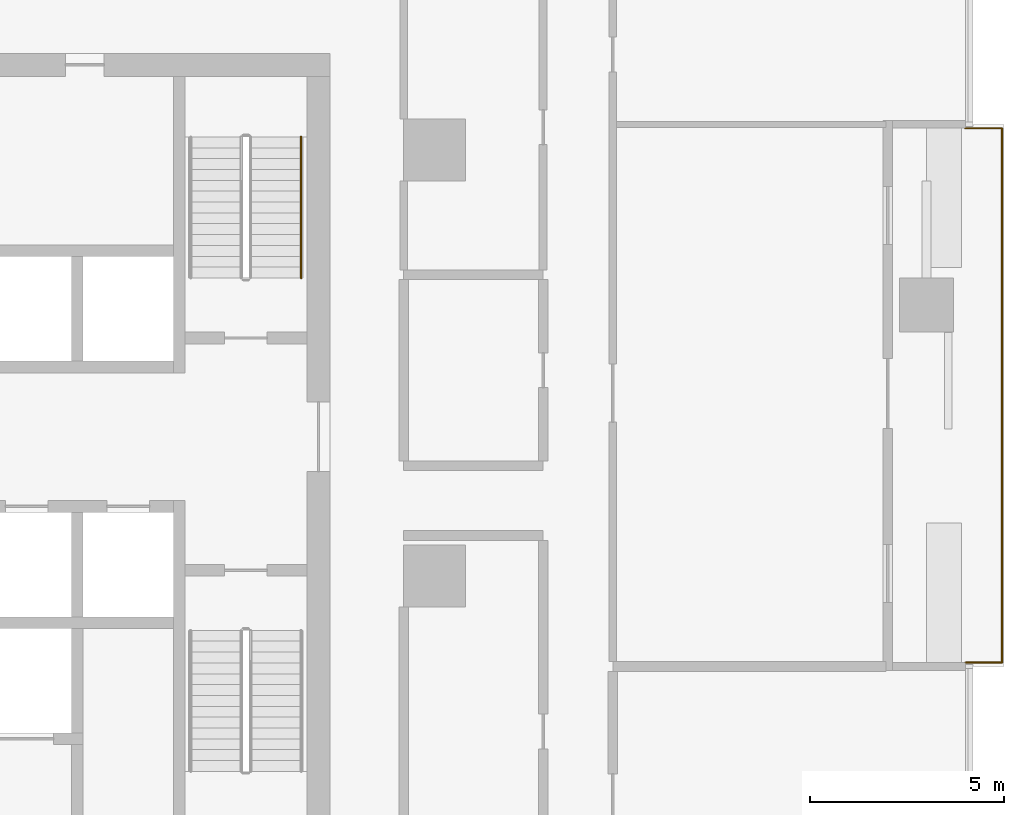
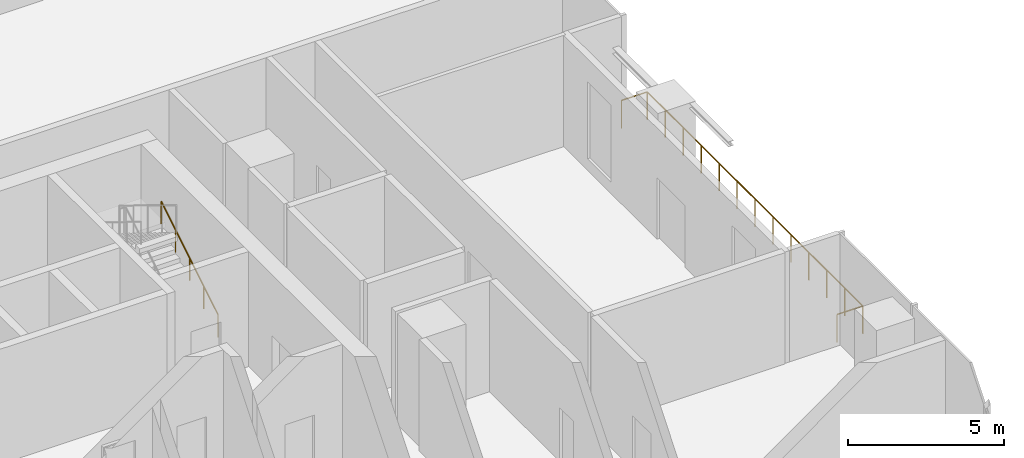
# One storey, part 15 of 15: 2 railings.
"""IFC4 building model written with IfcOpenShell, lengths in metres."""

from ifc_helpers import new_model, si_unit, direction, frame, origin, origin_2d, place, context, subcontext, project, spatial, circle, extrude, material, type_object, element, save


model = new_model("IFC4")

# Units and contexts
model_context = context("Model", 3, precision=1e-05, world=origin(), true_north=direction((0.0, 1.0)))
body_context = subcontext(model_context, "Body", "Model", "MODEL_VIEW")
ifc_project = project(units=[si_unit("LENGTHUNIT", "METRE"), si_unit("AREAUNIT", "SQUARE_METRE"), si_unit("VOLUMEUNIT", "CUBIC_METRE"), si_unit("PLANEANGLEUNIT", "RADIAN"), si_unit("MASSUNIT", "GRAM", prefix="KILO")], contexts=[model_context])

# Site, building, storey
site_placement = place(None, origin())
site = spatial("IfcSite", under=ifc_project, at=site_placement, CompositionType="ELEMENT")
building_placement = place(site_placement, origin())
building = spatial("IfcBuilding", under=site, at=building_placement, Name="Mopane Tessera Tower", CompositionType="ELEMENT")
storey_placement = place(building_placement, frame((0.0, 0.0, 79.0)))
storey = spatial("IfcBuildingStorey", under=building, at=storey_placement, Name="L15", CompositionType="ELEMENT", Elevation=79.0)

# Railings
ifc_material_1 = material(Name="Powder-coated steel balustrade", Category="steel")
railing_type_1 = type_object("IfcRailingType", Name="Escape stair handrail 900 mm", PredefinedType="HANDRAIL", material=ifc_material_1)
railing_1_placement = place(storey_placement, frame((13.64990234375, 7.699951171875, 0.17138671875)))
element("IfcRailing", 1, at=railing_1_placement, inside=storey, type_object=railing_type_1, Name="L15 ST4 stair handrail 1", PredefinedType="HANDRAIL", context=body_context, shape_type="SweptSolid", body=[
    extrude(circle(Radius=0.02392578125, at=origin_2d()), frame((0.0, 0.0, 0.8759765625), z_axis=(0.0, 0.852865859571, 0.52213008492), x_axis=(-1.0, 0.0, 0.0)), (0.0, 0.0, 1.0), 4.26806640625),
    extrude(circle(Radius=0.02099609375, at=origin_2d()), origin(), (0.0, 0.0, 1.0), 0.851806640625),
    extrude(circle(Radius=0.02099609375, at=origin_2d()), frame((0.0, 0.91015625, 0.55712890625)), (0.0, 0.0, 1.0), 0.851806640625),
    extrude(circle(Radius=0.02099609375, at=origin_2d()), frame((0.0, 1.820068359375, 1.1142578125)), (0.0, 0.0, 1.0), 0.851806640625),
    extrude(circle(Radius=0.02099609375, at=origin_2d()), frame((0.0, 2.72998046875, 1.67138671875)), (0.0, 0.0, 1.0), 0.851806640625),
    extrude(circle(Radius=0.02099609375, at=origin_2d()), frame((0.0, 3.64013671875, 2.228515625)), (0.0, 0.0, 1.0), 0.851806640625),
])
ifc_material_2 = material(Name="Stainless steel S316", Category="steel")
railing_type_2 = type_object("IfcRailingType", Name="Terrace guard 1100", PredefinedType="GUARDRAIL", material=ifc_material_2)
railing_2_placement = place(storey_placement, frame((30.800048828125, -2.2333984375, 0.0)))
element("IfcRailing", 2, at=railing_2_placement, inside=storey, type_object=railing_type_2, Name="e:nw:L15:N1:guard", PredefinedType="GUARDRAIL", context=body_context, shape_type="SweptSolid", body=[
    extrude(circle(Radius=0.02392578125, at=origin_2d()), frame((0.0, 0.0, 1.076171875), z_axis=(1.0, 0.0, 0.0), x_axis=(0.0, 1.0, 0.0)), (0.0, 0.0, 1.0), 0.949951171875),
    extrude(circle(Radius=0.02392578125, at=origin_2d()), frame((0.949951171875, 0.0, 1.076171875), z_axis=(0.0, 1.0, 0.0), x_axis=(-1.0, 0.0, 0.0)), (0.0, 0.0, 1.0), 13.800048828125),
    extrude(circle(Radius=0.02392578125, at=origin_2d()), frame((0.949951171875, 13.800048828125, 1.076171875), z_axis=(-1.0, 0.0, 0.0), x_axis=(0.0, -1.0, 0.0)), (0.0, 0.0, 1.0), 0.949951171875),
    extrude(circle(Radius=0.02099609375, at=origin_2d()), origin(), (0.0, 0.0, 1.0), 1.052001953125),
    extrude(circle(Radius=0.02099609375, at=origin_2d()), frame((0.949951171875, 0.0, 0.0)), (0.0, 0.0, 1.0), 1.052001953125),
    extrude(circle(Radius=0.02099609375, at=origin_2d()), frame((0.949951171875, 1.14990234375, 0.0)), (0.0, 0.0, 1.0), 1.052001953125),
    extrude(circle(Radius=0.02099609375, at=origin_2d()), frame((0.949951171875, 2.300048828125, 0.0)), (0.0, 0.0, 1.0), 1.052001953125),
    extrude(circle(Radius=0.02099609375, at=origin_2d()), frame((0.949951171875, 3.449951171875, 0.0)), (0.0, 0.0, 1.0), 1.052001953125),
    extrude(circle(Radius=0.02099609375, at=origin_2d()), frame((0.949951171875, 4.60009765625, 0.0)), (0.0, 0.0, 1.0), 1.052001953125),
    extrude(circle(Radius=0.02099609375, at=origin_2d()), frame((0.949951171875, 5.75, 0.0)), (0.0, 0.0, 1.0), 1.052001953125),
    extrude(circle(Radius=0.02099609375, at=origin_2d()), frame((0.949951171875, 6.89990234375, 0.0)), (0.0, 0.0, 1.0), 1.052001953125),
    extrude(circle(Radius=0.02099609375, at=origin_2d()), frame((0.949951171875, 8.050048828125, 0.0)), (0.0, 0.0, 1.0), 1.052001953125),
    extrude(circle(Radius=0.02099609375, at=origin_2d()), frame((0.949951171875, 9.199951171875, 0.0)), (0.0, 0.0, 1.0), 1.052001953125),
    extrude(circle(Radius=0.02099609375, at=origin_2d()), frame((0.949951171875, 10.35009765625, 0.0)), (0.0, 0.0, 1.0), 1.052001953125),
    extrude(circle(Radius=0.02099609375, at=origin_2d()), frame((0.949951171875, 11.5, 0.0)), (0.0, 0.0, 1.0), 1.052001953125),
    extrude(circle(Radius=0.02099609375, at=origin_2d()), frame((0.949951171875, 12.650146484375, 0.0)), (0.0, 0.0, 1.0), 1.052001953125),
    extrude(circle(Radius=0.02099609375, at=origin_2d()), frame((0.949951171875, 13.800048828125, 0.0)), (0.0, 0.0, 1.0), 1.052001953125),
    extrude(circle(Radius=0.02099609375, at=origin_2d()), frame((0.0, 13.800048828125, 0.0)), (0.0, 0.0, 1.0), 1.052001953125),
])

save(model, "model.ifc")
